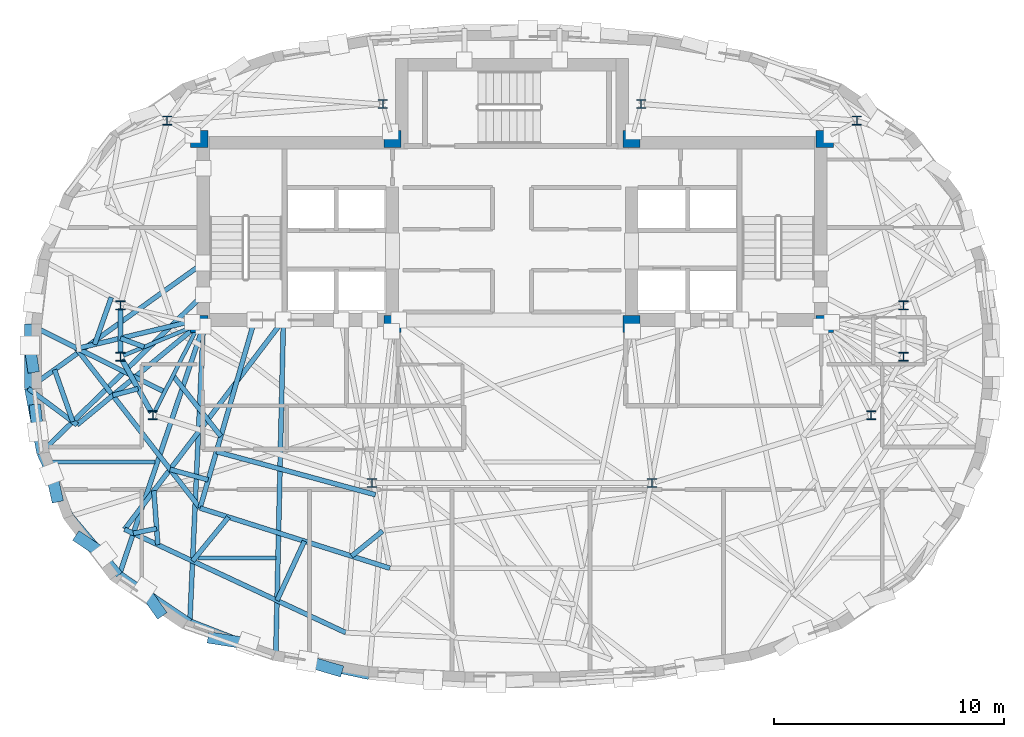
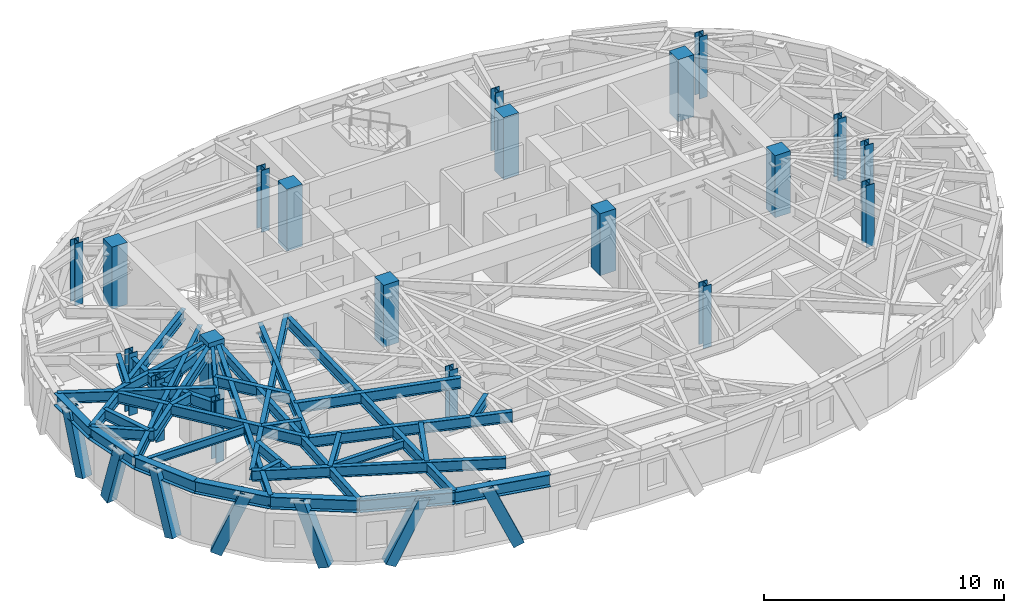
# One storey, part 1 of 12: 39 beams, 20 columns, 7 members.
"""IFC4 building model written with IfcOpenShell, lengths in metres."""

from ifc_helpers import new_model, si_unit, direction, frame, origin, origin_2d, place, context, subcontext, project, spatial, rectangle, hollow_rectangle, i_section, extrude, material, material_profile, profile_set, type_object, element, save


model = new_model("IFC4")

# Units and contexts
model_context = context("Model", 3, precision=1e-05, world=origin(), true_north=direction((0.0, 1.0)))
body_context = subcontext(model_context, "Body", "Model", "MODEL_VIEW")
ifc_project = project(units=[si_unit("LENGTHUNIT", "METRE"), si_unit("AREAUNIT", "SQUARE_METRE"), si_unit("VOLUMEUNIT", "CUBIC_METRE"), si_unit("PLANEANGLEUNIT", "RADIAN"), si_unit("MASSUNIT", "GRAM", prefix="KILO")], contexts=[model_context])

# Site, building, storey
site_placement = place(None, origin())
site = spatial("IfcSite", under=ifc_project, at=site_placement, CompositionType="ELEMENT")
building_placement = place(site_placement, origin())
building = spatial("IfcBuilding", under=site, at=building_placement, Name="Keldmark Tower", CompositionType="ELEMENT")
storey_placement = place(building_placement, frame((0.0, 0.0, 257.25)))
storey = spatial("IfcBuildingStorey", under=building, at=storey_placement, Name="L73", CompositionType="ELEMENT", Elevation=257.25)

# Columns
ifc_material_1 = material(Name="Concrete C50/60", Category="concrete")
ifc_material_profile_1 = material_profile(ifc_material_1, rectangle(XDim=0.75, YDim=0.75, at=origin_2d()), Name="RC750X750")
ifc_profile_set_1 = profile_set([ifc_material_profile_1], Name="Concrete C50/60")
column_type_1 = type_object("IfcColumnType", Name="Core Boundary Column RC750", PredefinedType="PILASTER", material=ifc_profile_set_1)
for number, where, z_axis, x_axis, name in (
    (1, (-13.60009765625, 1.39990234375, 0.0), (0.0, 0.0, 1.0), (1.0, 0.0, 0.0), "L73 Core Boundary Column CC-W1"),
    (2, (-13.60009765625, 9.449951171875, 0.0), (0.0, 0.0, 1.0), (1.0, 0.0, 0.0), "L73 Core Boundary Column CC-W2"),
    (3, (-5.199951171875, 1.39990234375, 0.0), (0.0, 0.0, 1.0), (1.0, 0.0, 0.0), "L73 Core Boundary Column CC-W3"),
    (4, (-5.199951171875, 9.449951171875, 0.0), (0.0, 0.0, 1.0), (1.0, 0.0, 0.0), "L73 Core Boundary Column CC-W4"),
    (5, (5.199951171875, 1.39990234375, 0.0), (0.0, 0.0, 1.0), (1.0, 0.0, 0.0), "L73 Core Boundary Column CC-E1"),
    (6, (5.199951171875, 9.449951171875, 0.0), (0.0, 0.0, 1.0), (1.0, 0.0, 0.0), "L73 Core Boundary Column CC-E2"),
    (7, (13.60009765625, 1.39990234375, 0.0), (0.0, 0.0, 1.0), (1.0, 0.0, 0.0), "L73 Core Boundary Column CC-E3"),
    (8, (13.60009765625, 9.449951171875, 0.0), (0.0, 0.0, 1.0), (1.0, 0.0, 0.0), "L73 Core Boundary Column CC-E4"),
):
    element("IfcColumn", number, at=place(storey_placement, frame(where, z_axis=z_axis, x_axis=x_axis)), inside=storey, type_object=column_type_1, Name=name, PredefinedType="PILASTER", context=body_context, shape_type="SweptSolid", body=[
        extrude(rectangle(XDim=0.75, YDim=0.75, at=origin_2d()), origin(), (0.0, 0.0, 1.0), 3.14990234375),
    ])
ifc_material_2 = material(Name="Steel ASTM A992 Grade 50", Category="steel")
ifc_material_profile_2 = material_profile(ifc_material_2, i_section(OverallWidth=0.39892578125, OverallDepth=0.386962890625, WebThickness=0.02099609375, FlangeThickness=0.033203125, at=origin_2d()), Name="W14X176")
ifc_profile_set_2 = profile_set([ifc_material_profile_2], Name="Steel ASTM A992 Grade 50")
column_type_2 = type_object("IfcColumnType", Name="Tower Gravity Column W14X176", PredefinedType="COLUMN", material=ifc_profile_set_2)
for number, where, z_axis, x_axis, name in (
    (9, (17.025634765625, 2.2080078125, 0.0), (0.0, 0.0, 1.0), (1.0, 0.0, 0.0), "L73 Tower Gravity Column TC-E1"),
    (10, (14.995849609375, 10.24365234375, 0.0), (0.0, 0.0, 1.0), (1.0, 0.0, 0.0), "L73 Tower Gravity Column TC-E4"),
    (11, (5.61865234375, 10.967041015625, 0.0), (0.0, 0.0, 1.0), (1.0, 0.0, 0.0), "L73 Tower Gravity Column TC-N2"),
    (12, (-5.61865234375, 10.967041015625, 0.0), (0.0, 0.0, 1.0), (1.0, 0.0, 0.0), "L73 Tower Gravity Column TC-N1"),
    (13, (-14.995849609375, 10.24365234375, 0.0), (0.0, 0.0, 1.0), (1.0, 0.0, 0.0), "L73 Tower Gravity Column TC-W4"),
    (14, (-17.025634765625, 2.2080078125, 0.0), (0.0, 0.0, 1.0), (1.0, 0.0, 0.0), "L73 Tower Gravity Column TC-W1"),
    (15, (-17.025634765625, -0.02392578125, 0.0), (0.0, 0.0, 1.0), (1.0, 0.0, 0.0), "L73 Tower Gravity Column TC-W5"),
    (16, (-15.6162109375, -2.5673828125, 0.0), (0.0, 0.0, 1.0), (1.0, 0.0, 0.0), "L73 Tower Gravity Column TC-W2"),
    (17, (-6.089599609375, -5.512939453125, 0.0), (0.0, 0.0, 1.0), (1.0, 0.0, 0.0), "L73 Tower Gravity Column TC-W3"),
    (18, (6.089599609375, -5.512939453125, 0.0), (0.0, 0.0, 1.0), (1.0, 0.0, 0.0), "L73 Tower Gravity Column TC-E3"),
    (19, (15.6162109375, -2.5673828125, 0.0), (0.0, 0.0, 1.0), (1.0, 0.0, 0.0), "L73 Tower Gravity Column TC-E2"),
    (20, (17.025634765625, -0.02392578125, 0.0), (0.0, 0.0, 1.0), (1.0, 0.0, 0.0), "L73 Tower Gravity Column TC-E5"),
):
    element("IfcColumn", number, at=place(storey_placement, frame(where, z_axis=z_axis, x_axis=x_axis)), inside=storey, type_object=column_type_2, Name=name, PredefinedType="COLUMN", context=body_context, shape_type="SweptSolid", body=[
        extrude(i_section(OverallWidth=0.39892578125, OverallDepth=0.386962890625, WebThickness=0.02099609375, FlangeThickness=0.033203125, at=origin_2d()), origin(), (0.0, 0.0, 1.0), 3.14990234375),
    ])

# Beams
ifc_material_3 = material(Name="Steel ASTM A992 Grade 50", Category="steel")
ifc_material_profile_3 = material_profile(ifc_material_3, i_section(OverallWidth=0.177978515625, OverallDepth=0.403076171875, WebThickness=0.007568359375, FlangeThickness=0.010986328125, at=origin_2d()), Name="W16X36")
ifc_profile_set_3 = profile_set([ifc_material_profile_3], Name="Steel ASTM A992 Grade 50")
beam_type_1 = type_object("IfcBeamType", Name="Composite Floor Joist W16X36", PredefinedType="JOIST", material=ifc_profile_set_3)
beam_1_placement = place(storey_placement, frame((-13.66015625, -8.780029296875, 2.728515625), z_axis=(1.0, 0.0, 0.0), x_axis=(0.0, 1.0, 0.0)))
element("IfcBeam", 21, at=beam_1_placement, inside=storey, type_object=beam_type_1, Name="L73 Composite Floor Joist J01", PredefinedType="JOIST", context=body_context, shape_type="SweptSolid", body=[
    extrude(i_section(OverallWidth=0.177978515625, OverallDepth=0.403076171875, WebThickness=0.007568359375, FlangeThickness=0.010986328125, at=origin_2d()), origin(), (0.0, 0.0, 1.0), 3.387451171875),
])
beam_2_placement = place(storey_placement, frame((-20.152587890625, -4.60009765625, 2.728515625), z_axis=(1.0, 0.0, 0.0), x_axis=(0.0, 1.0, 0.0)))
element("IfcBeam", 22, at=beam_2_placement, inside=storey, type_object=beam_type_1, Name="L73 Composite Floor Joist J03", PredefinedType="JOIST", context=body_context, shape_type="SweptSolid", body=[
    extrude(i_section(OverallWidth=0.177978515625, OverallDepth=0.403076171875, WebThickness=0.007568359375, FlangeThickness=0.010986328125, at=origin_2d()), origin(), (0.0, 0.0, 1.0), 4.63330078125),
])

# Members
ifc_material_4 = material(Name="Steel ASTM A572 Grade 50", Category="steel")
ifc_material_profile_4 = material_profile(ifc_material_4, hollow_rectangle(XDim=0.5, YDim=0.5, WallThickness=0.030029296875, at=origin_2d()), Name="BOX500X500X30")
ifc_profile_set_4 = profile_set([ifc_material_profile_4], Name="Steel ASTM A572 Grade 50")
member_type = type_object("IfcMemberType", Name="Diagrid Upper Brace BOX500X500X30", PredefinedType="BRACE", material=ifc_profile_set_4)
member_1_placement = place(storey_placement, frame((-20.832275390625, -0.470947265625, -0.260009765625), z_axis=(-0.044087065095, 0.290518556542, 0.955853178577), x_axis=(-0.98868064606, -0.150035262877, 0.0)))
element("IfcMember", 23, at=member_1_placement, inside=storey, type_object=member_type, Name="L73 Perimeter Diagrid Brace 08B", PredefinedType="BRACE", context=body_context, shape_type="SweptSolid", body=[
    extrude(hollow_rectangle(XDim=0.5, YDim=0.5, WallThickness=0.030029296875, at=origin_2d()), origin(), (0.0, 0.0, 1.0), 3.2119140625),
])
member_2_placement = place(storey_placement, frame((-20.7216796875, -2.333740234375, -0.260009765625), z_axis=(0.031693700324, -0.292463690284, 0.95575127477), x_axis=(0.994179406341, 0.107737217371, 0.0)))
element("IfcMember", 24, at=member_2_placement, inside=storey, type_object=member_type, Name="L73 Perimeter Diagrid Brace 09A", PredefinedType="BRACE", context=body_context, shape_type="SweptSolid", body=[
    extrude(hollow_rectangle(XDim=0.5, YDim=0.5, WallThickness=0.030029296875, at=origin_2d()), origin(), (0.0, 0.0, 1.0), 3.212158203125),
])
member_3_placement = place(storey_placement, frame((-19.798095703125, -6.10400390625, -0.260009765625), z_axis=(-0.068042175287, 0.305849955509, 0.94964523223), x_axis=(-0.976135993374, -0.217160130872, 0.0)))
element("IfcMember", 25, at=member_3_placement, inside=storey, type_object=member_type, Name="L73 Perimeter Diagrid Brace 09B", PredefinedType="BRACE", context=body_context, shape_type="SweptSolid", body=[
    extrude(hollow_rectangle(XDim=0.5, YDim=0.5, WallThickness=0.030029296875, at=origin_2d()), origin(), (0.0, 0.0, 1.0), 3.23291015625),
])
member_4_placement = place(storey_placement, frame((-18.7744140625, -7.924560546875, -0.260009765625), z_axis=(0.313342257476, -0.211373501225, 0.92581740784), x_axis=(0.559231961887, 0.829011225982, 0.0)))
element("IfcMember", 26, at=member_4_placement, inside=storey, type_object=member_type, Name="L73 Perimeter Diagrid Brace 10A", PredefinedType="BRACE", context=body_context, shape_type="SweptSolid", body=[
    extrude(hollow_rectangle(XDim=0.5, YDim=0.5, WallThickness=0.030029296875, at=origin_2d()), origin(), (0.0, 0.0, 1.0), 3.316162109375),
])
member_5_placement = place(storey_placement, frame((-15.33984375, -11.101806640625, -0.260009765625), z_axis=(-0.202642190584, 0.289531353066, 0.935471933404), x_axis=(-0.819271475881, -0.573405832554, 0.0)))
element("IfcMember", 27, at=member_5_placement, inside=storey, type_object=member_type, Name="L73 Perimeter Diagrid Brace 10B", PredefinedType="BRACE", context=body_context, shape_type="SweptSolid", body=[
    extrude(hollow_rectangle(XDim=0.5, YDim=0.5, WallThickness=0.030029296875, at=origin_2d()), origin(), (0.0, 0.0, 1.0), 3.28173828125),
])
member_6_placement = place(storey_placement, frame((-12.997802734375, -12.260009765625, -0.260009765625), z_axis=(0.441774143547, -0.069491762719, 0.894430825166), x_axis=(0.155390830828, 0.987853070904, 0.0)))
element("IfcMember", 28, at=member_6_placement, inside=storey, type_object=member_type, Name="L73 Perimeter Diagrid Brace 11A", PredefinedType="BRACE", context=body_context, shape_type="SweptSolid", body=[
    extrude(hollow_rectangle(XDim=0.5, YDim=0.5, WallThickness=0.030029296875, at=origin_2d()), origin(), (0.0, 0.0, 1.0), 3.432373046875),
])
member_7_placement = place(storey_placement, frame((-7.6044921875, -13.647705078125, -0.260009765625), z_axis=(-0.384823610451, 0.113487636775, 0.915986542007), x_axis=(-0.282864141081, -0.959159985451, 0.0)))
element("IfcMember", 29, at=member_7_placement, inside=storey, type_object=member_type, Name="L73 Perimeter Diagrid Brace 11B", PredefinedType="BRACE", context=body_context, shape_type="SweptSolid", body=[
    extrude(hollow_rectangle(XDim=0.5, YDim=0.5, WallThickness=0.030029296875, at=origin_2d()), origin(), (0.0, 0.0, 1.0), 3.3515625),
])

# Beams
ifc_material_5 = material(Name="Steel ASTM A992 Grade 50", Category="steel")
ifc_material_profile_5 = material_profile(ifc_material_5, i_section(OverallWidth=0.22802734375, OverallDepth=0.60302734375, WebThickness=0.010498046875, FlangeThickness=0.014892578125, at=origin_2d()), Name="W24X68")
ifc_profile_set_5 = profile_set([ifc_material_profile_5], Name="Steel ASTM A992 Grade 50")
beam_type_2 = type_object("IfcBeamType", Name="Primary Floor Girder W24X68", PredefinedType="BEAM", material=ifc_profile_set_5)
beam_3_placement = place(storey_placement, frame((-17.025634765625, 2.068115234375, 2.62841796875), z_axis=(0.0, -1.0, 0.0), x_axis=(1.0, 0.0, 0.0)))
element("IfcBeam", 30, at=beam_3_placement, inside=storey, type_object=beam_type_2, Name="L73 Floor Ring Girder FG-R06", PredefinedType="BEAM", context=body_context, shape_type="SweptSolid", body=[
    extrude(i_section(OverallWidth=0.22802734375, OverallDepth=0.60302734375, WebThickness=0.010498046875, FlangeThickness=0.014892578125, at=origin_2d()), origin(), (0.0, 0.0, 1.0), 1.9521484375),
])
beam_4_placement = place(storey_placement, frame((-16.957763671875, -0.146484375, 2.62841796875), z_axis=(0.484719680408, -0.874669555561, 0.0), x_axis=(0.874669555561, 0.484719680408, 0.0)))
element("IfcBeam", 31, at=beam_4_placement, inside=storey, type_object=beam_type_2, Name="L73 Floor Ring Girder FG-R07", PredefinedType="BEAM", context=body_context, shape_type="SweptSolid", body=[
    extrude(i_section(OverallWidth=0.22802734375, OverallDepth=0.60302734375, WebThickness=0.010498046875, FlangeThickness=0.014892578125, at=origin_2d()), origin(), (0.0, 0.0, 1.0), 2.627685546875),
])
ifc_material_6 = material(Name="Steel ASTM A992 Grade 50", Category="steel")
ifc_material_profile_6 = material_profile(ifc_material_6, i_section(OverallWidth=0.166015625, OverallDepth=0.529052734375, WebThickness=0.009765625, FlangeThickness=0.013671875, at=origin_2d()), Name="W21X50")
ifc_profile_set_6 = profile_set([ifc_material_profile_6], Name="Steel ASTM A992 Grade 50")
beam_type_3 = type_object("IfcBeamType", Name="Radial Tie Girder W21X50", PredefinedType="BEAM", material=ifc_profile_set_6)
beam_5_placement = place(storey_placement, frame((-16.896240234375, 0.02978515625, 2.66552734375), z_axis=(0.923403331902, 0.383831065226, 0.0), x_axis=(-0.383831065226, 0.923403331902, 0.0)))
element("IfcBeam", 32, at=beam_5_placement, inside=storey, type_object=beam_type_3, Name="L73 Floor Radial Girder FG-C07", PredefinedType="BEAM", context=body_context, shape_type="SweptSolid", body=[
    extrude(i_section(OverallWidth=0.166015625, OverallDepth=0.529052734375, WebThickness=0.009765625, FlangeThickness=0.013671875, at=origin_2d()), origin(), (0.0, 0.0, 1.0), 3.249755859375),
])
beam_6_placement = place(storey_placement, frame((-15.552734375, -2.442626953125, 2.66552734375), z_axis=(0.453004410574, 0.89150827478, 0.0), x_axis=(-0.89150827478, 0.453004410574, 0.0)))
element("IfcBeam", 33, at=beam_6_placement, inside=storey, type_object=beam_type_3, Name="L73 Floor Radial Girder FG-C08", PredefinedType="BEAM", context=body_context, shape_type="SweptSolid", body=[
    extrude(i_section(OverallWidth=0.166015625, OverallDepth=0.529052734375, WebThickness=0.009765625, FlangeThickness=0.013671875, at=origin_2d()), origin(), (0.0, 0.0, 1.0), 3.990234375),
])
ifc_material_7 = material(Name="Steel ASTM A992 Grade 50", Category="steel")
ifc_material_profile_7 = material_profile(ifc_material_7, i_section(OverallWidth=0.2099609375, OverallDepth=0.537109375, WebThickness=0.010986328125, FlangeThickness=0.017333984375, at=origin_2d()), Name="W21X68")
ifc_profile_set_7 = profile_set([ifc_material_profile_7], Name="Steel ASTM A992 Grade 50")
beam_type_4 = type_object("IfcBeamType", Name="Radial Tie Girder W21X68", PredefinedType="BEAM", material=ifc_profile_set_7)
beam_7_placement = place(storey_placement, frame((-15.99609375, 0.40380859375, 2.66162109375), z_axis=(-0.938677111018, 0.344797449601, 0.0), x_axis=(-0.344797449601, -0.938677111018, 0.0)))
element("IfcBeam", 34, at=beam_7_placement, inside=storey, type_object=beam_type_4, Name="L73 Framing Pin Header PH-001", PredefinedType="BEAM", context=body_context, shape_type="SweptSolid", body=[
    extrude(i_section(OverallWidth=0.2099609375, OverallDepth=0.537109375, WebThickness=0.010986328125, FlangeThickness=0.017333984375, at=origin_2d()), origin(), (0.0, 0.0, 1.0), 1.0966796875),
])
beam_8_placement = place(storey_placement, frame((-13.699951171875, 1.574951171875, 2.66162109375), z_axis=(-0.972724848006, -0.231962001353, 0.0), x_axis=(0.231962001353, -0.972724848006, 0.0)))
element("IfcBeam", 35, at=beam_8_placement, inside=storey, type_object=beam_type_4, Name="L73 Sub-Ring Step Girder STP1-M07", PredefinedType="BEAM", context=body_context, shape_type="SweptSolid", body=[
    extrude(i_section(OverallWidth=0.2099609375, OverallDepth=0.537109375, WebThickness=0.010986328125, FlangeThickness=0.017333984375, at=origin_2d()), origin(), (0.0, 0.0, 1.0), 5.38037109375),
])
beam_9_placement = place(storey_placement, frame((-14.7392578125, -0.841796875, 2.66162109375), z_axis=(0.618847775793, -0.785510935886, 0.0), x_axis=(0.785510935886, 0.618847775793, 0.0)))
element("IfcBeam", 36, at=beam_9_placement, inside=storey, type_object=beam_type_4, Name="L73 Framing Pin Header PH-002", PredefinedType="BEAM", context=body_context, shape_type="SweptSolid", body=[
    extrude(i_section(OverallWidth=0.2099609375, OverallDepth=0.537109375, WebThickness=0.010986328125, FlangeThickness=0.017333984375, at=origin_2d()), origin(), (0.0, 0.0, 1.0), 3.3603515625),
])
beam_10_placement = place(storey_placement, frame((-11.19287109375, 1.574951171875, 2.66162109375), z_axis=(-0.278592681505, -0.960409349086, 0.0), x_axis=(0.960409349086, -0.278592681505, 0.0)))
element("IfcBeam", 37, at=beam_10_placement, inside=storey, type_object=beam_type_4, Name="L73 Sub-Ring Step Girder STP1-M08", PredefinedType="BEAM", context=body_context, shape_type="SweptSolid", body=[
    extrude(i_section(OverallWidth=0.2099609375, OverallDepth=0.537109375, WebThickness=0.010986328125, FlangeThickness=0.017333984375, at=origin_2d()), origin(), (0.0, 0.0, 1.0), 8.515380859375),
])
beam_11_placement = place(storey_placement, frame((-12.853515625, -4.14990234375, 2.66162109375), z_axis=(0.965220101101, -0.261438628422, 0.0), x_axis=(0.261438628422, 0.965220101101, 0.0)))
element("IfcBeam", 38, at=beam_11_placement, inside=storey, type_object=beam_type_4, Name="L73 Framing Pin Header PH-003", PredefinedType="BEAM", context=body_context, shape_type="SweptSolid", body=[
    extrude(i_section(OverallWidth=0.2099609375, OverallDepth=0.537109375, WebThickness=0.010986328125, FlangeThickness=0.017333984375, at=origin_2d()), origin(), (0.0, 0.0, 1.0), 7.163330078125),
])
beam_12_placement = place(storey_placement, frame((-18.93359375, 0.326904296875, 2.66162109375), z_axis=(0.612395045292, -0.790551901207, 0.0), x_axis=(0.790551901207, 0.612395045292, 0.0)))
element("IfcBeam", 39, at=beam_12_placement, inside=storey, type_object=beam_type_4, Name="L73 Perimeter Collector Ring Beam CRG1-M07", PredefinedType="BEAM", context=body_context, shape_type="SweptSolid", body=[
    extrude(i_section(OverallWidth=0.2099609375, OverallDepth=0.537109375, WebThickness=0.010986328125, FlangeThickness=0.017333984375, at=origin_2d()), origin(), (0.0, 0.0, 1.0), 8.766357421875),
])
beam_13_placement = place(storey_placement, frame((-13.565185546875, -6.603271484375, 2.66162109375), z_axis=(0.953292438313, -0.302048881898, 0.0), x_axis=(0.302048881898, 0.953292438313, 0.0)))
element("IfcBeam", 40, at=beam_13_placement, inside=storey, type_object=beam_type_4, Name="L73 Perimeter Collector Ring Beam CRG1-M08", PredefinedType="BEAM", context=body_context, shape_type="SweptSolid", body=[
    extrude(i_section(OverallWidth=0.2099609375, OverallDepth=0.537109375, WebThickness=0.010986328125, FlangeThickness=0.017333984375, at=origin_2d()), origin(), (0.0, 0.0, 1.0), 8.658203125),
])
beam_14_placement = place(storey_placement, frame((-13.20947265625, -5.376708984375, 2.66162109375), z_axis=(-0.964264325486, 0.264942089136, 0.0), x_axis=(-0.264942089136, -0.964264325486, 0.0)))
element("IfcBeam", 41, at=beam_14_placement, inside=storey, type_object=beam_type_4, Name="L73 Framing Pin Header PH-007", PredefinedType="BEAM", context=body_context, shape_type="SweptSolid", body=[
    extrude(i_section(OverallWidth=0.2099609375, OverallDepth=0.537109375, WebThickness=0.010986328125, FlangeThickness=0.017333984375, at=origin_2d()), origin(), (0.0, 0.0, 1.0), 1.720458984375),
])
beam_15_placement = place(storey_placement, frame((-9.939208984375, 1.574951171875, 2.66162109375), z_axis=(-0.604470208709, -0.796627746682, 0.0), x_axis=(0.796627746682, -0.604470208709, 0.0)))
element("IfcBeam", 42, at=beam_15_placement, inside=storey, type_object=beam_type_4, Name="L73 Sub-Ring Step Girder STP2-M08", PredefinedType="BEAM", context=body_context, shape_type="SweptSolid", body=[
    extrude(i_section(OverallWidth=0.2099609375, OverallDepth=0.537109375, WebThickness=0.010986328125, FlangeThickness=0.017333984375, at=origin_2d()), origin(), (0.0, 0.0, 1.0), 11.42333984375),
])
beam_16_placement = place(storey_placement, frame((-5.62939453125, -7.599365234375, 2.66162109375), z_axis=(-0.776144176486, -0.630555483131, 0.0), x_axis=(0.630555483131, -0.776144176486, 0.0)))
element("IfcBeam", 43, at=beam_16_placement, inside=storey, type_object=beam_type_4, Name="L73 Framing Pin Header PH-008", PredefinedType="BEAM", context=body_context, shape_type="SweptSolid", body=[
    extrude(i_section(OverallWidth=0.2099609375, OverallDepth=0.537109375, WebThickness=0.010986328125, FlangeThickness=0.017333984375, at=origin_2d()), origin(), (0.0, 0.0, 1.0), 1.732177734375),
])
beam_17_placement = place(storey_placement, frame((-16.84423828125, -7.525146484375, 2.66162109375), z_axis=(0.905883728624, -0.423526469319, 0.0), x_axis=(0.423526469319, 0.905883728624, 0.0)))
element("IfcBeam", 44, at=beam_17_placement, inside=storey, type_object=beam_type_4, Name="L73 Perimeter Collector Ring Beam CRG2-M08", PredefinedType="BEAM", context=body_context, shape_type="SweptSolid", body=[
    extrude(i_section(OverallWidth=0.2099609375, OverallDepth=0.537109375, WebThickness=0.010986328125, FlangeThickness=0.017333984375, at=origin_2d()), origin(), (0.0, 0.0, 1.0), 10.611328125),
])
beam_18_placement = place(storey_placement, frame((-18.148681640625, 0.513916015625, 2.66162109375), z_axis=(0.333842980697, 0.942628699032, 0.0), x_axis=(-0.942628699032, 0.333842980697, 0.0)))
element("IfcBeam", 45, at=beam_18_placement, inside=storey, type_object=beam_type_4, Name="L73 Framing Pin Header PH-018", PredefinedType="BEAM", context=body_context, shape_type="SweptSolid", body=[
    extrude(i_section(OverallWidth=0.2099609375, OverallDepth=0.537109375, WebThickness=0.010986328125, FlangeThickness=0.017333984375, at=origin_2d()), origin(), (0.0, 0.0, 1.0), 2.171875),
])
beam_19_placement = place(storey_placement, frame((-15.100830078125, -1.55322265625, 2.66162109375), z_axis=(-0.894964237533, 0.446137886238, 0.0), x_axis=(-0.446137886238, -0.894964237533, 0.0)))
element("IfcBeam", 46, at=beam_19_placement, inside=storey, type_object=beam_type_4, Name="L73 Perimeter Radial Tie Girder RT-16", PredefinedType="BEAM", context=body_context, shape_type="SweptSolid", body=[
    extrude(i_section(OverallWidth=0.2099609375, OverallDepth=0.537109375, WebThickness=0.010986328125, FlangeThickness=0.017333984375, at=origin_2d()), origin(), (0.0, 0.0, 1.0), 6.629150390625),
])
beam_20_placement = place(storey_placement, frame((-13.425048828125, 4.050048828125, 2.66162109375), z_axis=(-0.812742005225, -0.582623749037, 0.0), x_axis=(0.582623749037, -0.812742005225, 0.0)))
element("IfcBeam", 47, at=beam_20_placement, inside=storey, type_object=beam_type_4, Name="L73 Perimeter Radial Tie Girder RT-17", PredefinedType="BEAM", context=body_context, shape_type="SweptSolid", body=[
    extrude(i_section(OverallWidth=0.2099609375, OverallDepth=0.537109375, WebThickness=0.010986328125, FlangeThickness=0.017333984375, at=origin_2d()), origin(), (0.0, 0.0, 1.0), 9.36181640625),
])
beam_21_placement = place(storey_placement, frame((-16.257080078125, -1.41064453125, 2.66162109375), z_axis=(-0.96646522928, -0.25679750893, 0.0), x_axis=(0.25679750893, -0.96646522928, 0.0)))
element("IfcBeam", 48, at=beam_21_placement, inside=storey, type_object=beam_type_4, Name="L73 Framing Pin Header PH-020", PredefinedType="BEAM", context=body_context, shape_type="SweptSolid", body=[
    extrude(i_section(OverallWidth=0.2099609375, OverallDepth=0.537109375, WebThickness=0.010986328125, FlangeThickness=0.017333984375, at=origin_2d()), origin(), (0.0, 0.0, 1.0), 1.141845703125),
])
beam_22_placement = place(storey_placement, frame((-13.60009765625, 1.39990234375, 2.66162109375), z_axis=(-0.771251472548, -0.636530569645, 0.0), x_axis=(0.636530569645, -0.771251472548, 0.0)))
element("IfcBeam", 49, at=beam_22_placement, inside=storey, type_object=beam_type_4, Name="L73 Intermediate Radial Step Girder RT-18M", PredefinedType="BEAM", context=body_context, shape_type="SweptSolid", body=[
    extrude(i_section(OverallWidth=0.2099609375, OverallDepth=0.537109375, WebThickness=0.010986328125, FlangeThickness=0.017333984375, at=origin_2d()), origin(), (0.0, 0.0, 1.0), 6.88818359375),
])
beam_23_placement = place(storey_placement, frame((-21.03369140625, -1.404296875, 2.66162109375), z_axis=(0.801901036209, -0.597456883906, 0.0), x_axis=(0.597456883906, 0.801901036209, 0.0)))
element("IfcBeam", 50, at=beam_23_placement, inside=storey, type_object=beam_type_4, Name="L73 Local Collector Chord RT-18C", PredefinedType="BEAM", context=body_context, shape_type="SweptSolid", body=[
    extrude(i_section(OverallWidth=0.2099609375, OverallDepth=0.537109375, WebThickness=0.010986328125, FlangeThickness=0.017333984375, at=origin_2d()), origin(), (0.0, 0.0, 1.0), 2.64501953125),
])
beam_24_placement = place(storey_placement, frame((-19.892333984375, -0.586181640625, 2.66162109375), z_axis=(0.331919637843, -0.943307666678, 0.0), x_axis=(0.943307666678, 0.331919637843, 0.0)))
element("IfcBeam", 51, at=beam_24_placement, inside=storey, type_object=beam_type_4, Name="L73 Framing Pin Header PH-021", PredefinedType="BEAM", context=body_context, shape_type="SweptSolid", body=[
    extrude(i_section(OverallWidth=0.2099609375, OverallDepth=0.537109375, WebThickness=0.010986328125, FlangeThickness=0.017333984375, at=origin_2d()), origin(), (0.0, 0.0, 1.0), 2.397216796875),
])
beam_25_placement = place(storey_placement, frame((-13.425048828125, 2.675048828125, 2.66162109375), z_axis=(-0.716460460362, -0.697627700667, 0.0), x_axis=(0.697627700667, -0.716460460362, 0.0)))
element("IfcBeam", 52, at=beam_25_placement, inside=storey, type_object=beam_type_4, Name="L73 Perimeter Radial Tie Girder RT-18", PredefinedType="BEAM", context=body_context, shape_type="SweptSolid", body=[
    extrude(i_section(OverallWidth=0.2099609375, OverallDepth=0.537109375, WebThickness=0.010986328125, FlangeThickness=0.017333984375, at=origin_2d()), origin(), (0.0, 0.0, 1.0), 9.878173828125),
])
beam_26_placement = place(storey_placement, frame((-15.40234375, -8.19921875, 2.66162109375), z_axis=(-0.071990517703, 0.997405316489, 0.0), x_axis=(-0.997405316489, -0.071990517703, 0.0)))
element("IfcBeam", 53, at=beam_26_placement, inside=storey, type_object=beam_type_4, Name="L73 Framing Pin Header PH-022", PredefinedType="BEAM", context=body_context, shape_type="SweptSolid", body=[
    extrude(i_section(OverallWidth=0.2099609375, OverallDepth=0.537109375, WebThickness=0.010986328125, FlangeThickness=0.017333984375, at=origin_2d()), origin(), (0.0, 0.0, 1.0), 2.35693359375),
])
beam_27_placement = place(storey_placement, frame((-15.453369140625, -7.493896484375, 2.66162109375), z_axis=(-0.979428207649, -0.201792928669, 0.0), x_axis=(0.201792928669, -0.979428207649, 0.0)))
element("IfcBeam", 54, at=beam_27_placement, inside=storey, type_object=beam_type_4, Name="L73 Framing Pin Header PH-023", PredefinedType="BEAM", context=body_context, shape_type="SweptSolid", body=[
    extrude(i_section(OverallWidth=0.2099609375, OverallDepth=0.537109375, WebThickness=0.010986328125, FlangeThickness=0.017333984375, at=origin_2d()), origin(), (0.0, 0.0, 1.0), 1.033203125),
])
beam_28_placement = place(storey_placement, frame((-13.425048828125, 1.300048828125, 2.66162109375), z_axis=(-0.319965414365, -0.947429223536, 0.0), x_axis=(0.947429223536, -0.319965414365, 0.0)))
element("IfcBeam", 55, at=beam_28_placement, inside=storey, type_object=beam_type_4, Name="L73 Perimeter Radial Tie Girder RT-20", PredefinedType="BEAM", context=body_context, shape_type="SweptSolid", body=[
    extrude(i_section(OverallWidth=0.2099609375, OverallDepth=0.537109375, WebThickness=0.010986328125, FlangeThickness=0.017333984375, at=origin_2d()), origin(), (0.0, 0.0, 1.0), 11.397216796875),
])
beam_29_placement = place(storey_placement, frame((-12.3271484375, -6.99560546875, 2.66162109375), z_axis=(-0.632839120212, -0.774283312444, 0.0), x_axis=(0.774283312444, -0.632839120212, 0.0)))
element("IfcBeam", 56, at=beam_29_placement, inside=storey, type_object=beam_type_4, Name="L73 Framing Pin Header PH-024", PredefinedType="BEAM", context=body_context, shape_type="SweptSolid", body=[
    extrude(i_section(OverallWidth=0.2099609375, OverallDepth=0.537109375, WebThickness=0.010986328125, FlangeThickness=0.017333984375, at=origin_2d()), origin(), (0.0, 0.0, 1.0), 2.46826171875),
])
beam_30_placement = place(storey_placement, frame((-13.425048828125, 1.300048828125, 2.66162109375), z_axis=(-0.045430864034, -0.998967485253, 0.0), x_axis=(0.998967485253, -0.045430864034, 0.0)))
element("IfcBeam", 57, at=beam_30_placement, inside=storey, type_object=beam_type_4, Name="L73 Perimeter Radial Tie Girder RT-21", PredefinedType="BEAM", context=body_context, shape_type="SweptSolid", body=[
    extrude(i_section(OverallWidth=0.2099609375, OverallDepth=0.537109375, WebThickness=0.010986328125, FlangeThickness=0.017333984375, at=origin_2d()), origin(), (0.0, 0.0, 1.0), 12.886474609375),
])
beam_31_placement = place(storey_placement, frame((-9.025634765625, -8.04150390625, 2.66162109375), z_axis=(-0.419667875402, -0.907677737061, 0.0), x_axis=(0.907677737061, -0.419667875402, 0.0)))
element("IfcBeam", 58, at=beam_31_placement, inside=storey, type_object=beam_type_4, Name="L73 Framing Pin Header PH-025", PredefinedType="BEAM", context=body_context, shape_type="SweptSolid", body=[
    extrude(i_section(OverallWidth=0.2099609375, OverallDepth=0.537109375, WebThickness=0.010986328125, FlangeThickness=0.017333984375, at=origin_2d()), origin(), (0.0, 0.0, 1.0), 2.843505859375),
])
beam_32_placement = place(storey_placement, frame((-9.939208984375, 1.574951171875, 2.66162109375), z_axis=(-0.022927527655, -0.999737129687, 0.0), x_axis=(0.999737129687, -0.022927527655, 0.0)))
element("IfcBeam", 59, at=beam_32_placement, inside=storey, type_object=beam_type_4, Name="L73 Perimeter Radial Tie Girder RT-22", PredefinedType="BEAM", context=body_context, shape_type="SweptSolid", body=[
    extrude(i_section(OverallWidth=0.2099609375, OverallDepth=0.537109375, WebThickness=0.010986328125, FlangeThickness=0.017333984375, at=origin_2d()), origin(), (0.0, 0.0, 1.0), 14.609619140625),
])
ifc_material_8 = material(Name="Steel ASTM A992 Grade 50", Category="steel")
ifc_material_profile_8 = material_profile(ifc_material_8, i_section(OverallWidth=0.326904296875, OverallDepth=0.6220703125, WebThickness=0.015380859375, FlangeThickness=0.0244140625, at=origin_2d()), Name="W24X131")
ifc_profile_set_8 = profile_set([ifc_material_profile_8], Name="Steel ASTM A992 Grade 50")
beam_type_5 = type_object("IfcBeamType", Name="Spandrel Ring Beam W24X131", PredefinedType="SPANDREL", material=ifc_profile_set_8)
beam_33_placement = place(storey_placement, frame((-21.03369140625, 1.404296875, 2.618896484375), z_axis=(0.0, -1.0, 0.0), x_axis=(1.0, 0.0, 0.0)))
element("IfcBeam", 60, at=beam_33_placement, inside=storey, type_object=beam_type_5, Name="L73 Perimeter Spandrel Ring Beam SRB-16", PredefinedType="SPANDREL", context=body_context, shape_type="SweptSolid", body=[
    extrude(i_section(OverallWidth=0.326904296875, OverallDepth=0.6220703125, WebThickness=0.015380859375, FlangeThickness=0.0244140625, at=origin_2d()), origin(), (0.0, 0.0, 1.0), 2.80859375),
])
beam_34_placement = place(storey_placement, frame((-21.03369140625, -1.404296875, 2.618896484375), z_axis=(0.185637893188, -0.982618223224, 0.0), x_axis=(0.982618223224, 0.185637893188, 0.0)))
element("IfcBeam", 61, at=beam_34_placement, inside=storey, type_object=beam_type_5, Name="L73 Perimeter Spandrel Ring Beam SRB-17", PredefinedType="SPANDREL", context=body_context, shape_type="SweptSolid", body=[
    extrude(i_section(OverallWidth=0.326904296875, OverallDepth=0.6220703125, WebThickness=0.015380859375, FlangeThickness=0.0244140625, at=origin_2d()), origin(), (0.0, 0.0, 1.0), 2.86181640625),
])
beam_35_placement = place(storey_placement, frame((-20.50244140625, -4.21630859375, 2.618896484375), z_axis=(0.422409428873, -0.906405138114, 0.0), x_axis=(0.906405138114, 0.422409428873, 0.0)))
element("IfcBeam", 62, at=beam_35_placement, inside=storey, type_object=beam_type_5, Name="L73 Perimeter Spandrel Ring Beam SRB-18", PredefinedType="SPANDREL", context=body_context, shape_type="SweptSolid", body=[
    extrude(i_section(OverallWidth=0.326904296875, OverallDepth=0.6220703125, WebThickness=0.015380859375, FlangeThickness=0.0244140625, at=origin_2d()), origin(), (0.0, 0.0, 1.0), 3.03271484375),
])
beam_36_placement = place(storey_placement, frame((-19.221435546875, -6.965087890625, 2.618896484375), z_axis=(0.647061604266, -0.762437722233, 0.0), x_axis=(0.762437722233, 0.647061604266, 0.0)))
element("IfcBeam", 63, at=beam_36_placement, inside=storey, type_object=beam_type_5, Name="L73 Perimeter Spandrel Ring Beam SRB-19", PredefinedType="SPANDREL", context=body_context, shape_type="SweptSolid", body=[
    extrude(i_section(OverallWidth=0.326904296875, OverallDepth=0.6220703125, WebThickness=0.015380859375, FlangeThickness=0.0244140625, at=origin_2d()), origin(), (0.0, 0.0, 1.0), 3.322265625),
])
beam_37_placement = place(storey_placement, frame((-17.07177734375, -9.498046875, 2.618896484375), z_axis=(0.827739678134, -0.561112310721, 0.0), x_axis=(0.561112310721, 0.827739678134, 0.0)))
element("IfcBeam", 64, at=beam_37_placement, inside=storey, type_object=beam_type_5, Name="L73 Perimeter Spandrel Ring Beam SRB-20", PredefinedType="SPANDREL", context=body_context, shape_type="SweptSolid", body=[
    extrude(i_section(OverallWidth=0.326904296875, OverallDepth=0.6220703125, WebThickness=0.015380859375, FlangeThickness=0.0244140625, at=origin_2d()), origin(), (0.0, 0.0, 1.0), 3.6982421875),
])
beam_38_placement = place(storey_placement, frame((-14.010498046875, -11.5732421875, 2.618896484375), z_axis=(0.931624878208, -0.363421361925, 0.0), x_axis=(0.363421361925, 0.931624878208, 0.0)))
element("IfcBeam", 65, at=beam_38_placement, inside=storey, type_object=beam_type_5, Name="L73 Perimeter Spandrel Ring Beam SRB-21", PredefinedType="SPANDREL", context=body_context, shape_type="SweptSolid", body=[
    extrude(i_section(OverallWidth=0.326904296875, OverallDepth=0.6220703125, WebThickness=0.015380859375, FlangeThickness=0.0244140625, at=origin_2d()), origin(), (0.0, 0.0, 1.0), 4.010498046875),
])
beam_39_placement = place(storey_placement, frame((-10.274169921875, -13.03076171875, 2.618896484375), z_axis=(0.977824810368, -0.209424545429, 0.0), x_axis=(0.209424545429, 0.977824810368, 0.0)))
element("IfcBeam", 66, at=beam_39_placement, inside=storey, type_object=beam_type_5, Name="L73 Perimeter Spandrel Ring Beam SRB-22", PredefinedType="SPANDREL", context=body_context, shape_type="SweptSolid", body=[
    extrude(i_section(OverallWidth=0.326904296875, OverallDepth=0.6220703125, WebThickness=0.015380859375, FlangeThickness=0.0244140625, at=origin_2d()), origin(), (0.0, 0.0, 1.0), 4.146728515625),
])

save(model, "model.ifc")
